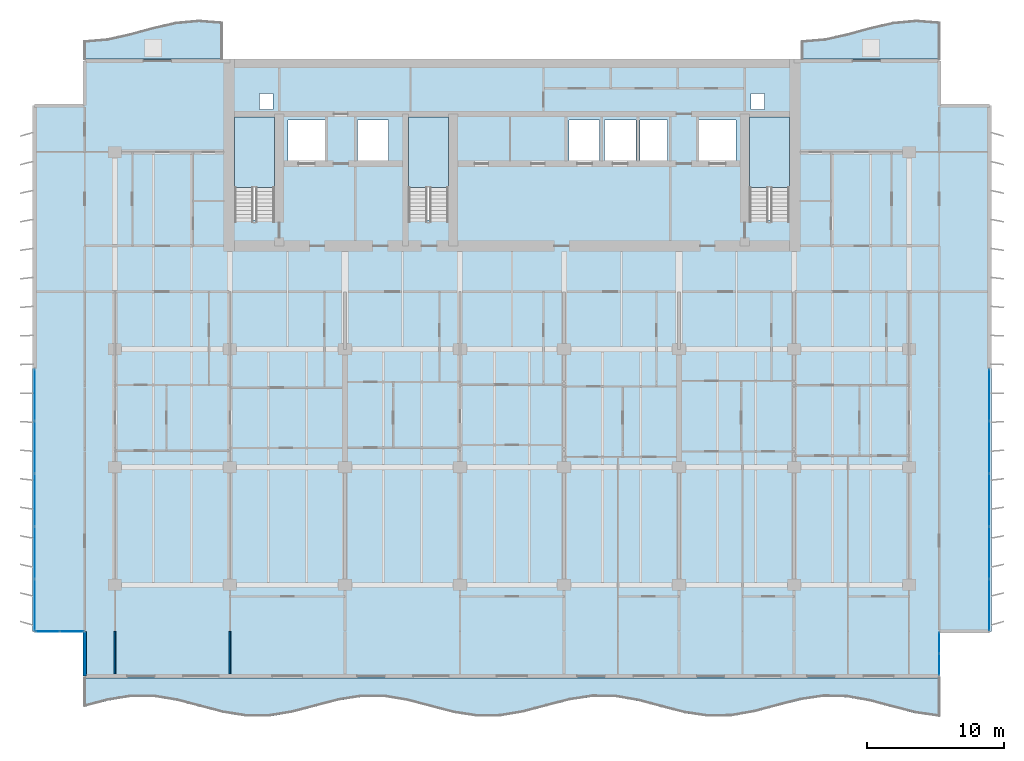
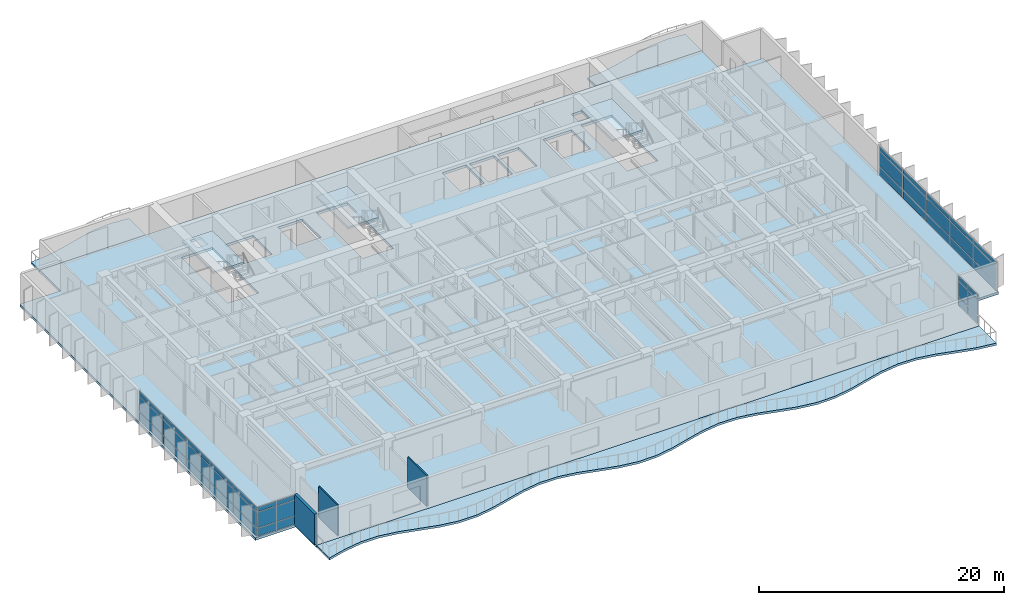
# One storey, part 5 of 20: 42 plates, 7 slabs, 3 walls, 7 elements without a shape of their own.
"""IFC4 building model written with IfcOpenShell, lengths in metres."""

import ifcopenshell
import ifcopenshell.guid

model = None  # the IFC model being written
_history = None  # IfcOwnerHistory: only IFC2X3 demands one
_inside = {}  # id of a spatial element -> (the spatial element, [elements in it])
_under = {}  # id of a project, library or spatial element -> (it, [spatial elements below it])
_declared = {}  # id of a project -> (the project, [libraries it declares])
_typed = {}  # id of a type object -> (the type object, [elements of that type])
_made_of = {}  # id of a material, layer set ... -> (it, [elements and type objects made of it])


def new_model(schema):
    """Start an empty IFC model of exactly this schema.

    Asked for "IFC4X3", IfcOpenShell would pick the latest addendum, in which some entities
    have other attributes; the version numbers below select the first issue.
    IFC2X3 requires an IfcOwnerHistory on every rooted entity: one is made here for all.
    """
    global model, _history
    if schema == "IFC4X3":
        model = ifcopenshell.file(schema_version=(4, 3, 0, 0))
    else:
        model = ifcopenshell.file(schema=schema)
    _inside.clear()
    _under.clear()
    _declared.clear()
    _typed.clear()
    _made_of.clear()
    _history = None
    if model.schema == "IFC2X3":
        org = make("IfcOrganization", Name="unknown")
        user = make(
            "IfcPersonAndOrganization",
            ThePerson=make("IfcPerson", FamilyName="unknown"),
            TheOrganization=org,
        )
        app = make(
            "IfcApplication",
            ApplicationDeveloper=org,
            Version="unknown",
            ApplicationFullName="unknown",
            ApplicationIdentifier="unknown",
        )
        _history = make(
            "IfcOwnerHistory",
            OwningUser=user,
            OwningApplication=app,
            ChangeAction="ADDED",
            CreationDate=0,
        )
    return model


def make(cls, **values):
    """One entity of the class cls with the attributes given. An attribute that is None is left unset."""
    return model.create_entity(
        cls, **{name: value for name, value in values.items() if value is not None}
    )


def rooted(cls, **values):
    """An entity with a GlobalId (a new one), such as an element, a storey or a relation."""
    return make(cls, GlobalId=ifcopenshell.guid.new(), OwnerHistory=_history, **values)


def si_unit(unit_type, name, prefix=None):
    """IfcSIUnit, for example si_unit("LENGTHUNIT", "METRE", prefix="MILLI")."""
    return make("IfcSIUnit", UnitType=unit_type, Prefix=prefix, Name=name)


def assignment(units):
    """IfcUnitAssignment: the units of a project."""
    return None if units is None else make("IfcUnitAssignment", Units=units)


def point(xyz):
    """IfcCartesianPoint."""
    return None if xyz is None else make("IfcCartesianPoint", Coordinates=xyz)


def direction(xyz):
    """IfcDirection."""
    return None if xyz is None else make("IfcDirection", DirectionRatios=xyz)


def frame(location, z_axis=None, x_axis=None):
    """IfcAxis2Placement3D, a coordinate frame: its origin and axes. An axis left out is left unset."""
    return make(
        "IfcAxis2Placement3D",
        Location=point(location),
        Axis=direction(z_axis),
        RefDirection=direction(x_axis),
    )


def frame_2d(location, x_axis=None):
    """IfcAxis2Placement2D, a coordinate frame in the plane: its origin and x axis."""
    return make(
        "IfcAxis2Placement2D", Location=point(location), RefDirection=direction(x_axis)
    )


def origin():
    """The frame at (0, 0, 0) with its axes left unset."""
    return frame((0.0, 0.0, 0.0))


def origin_2d():
    """The frame at (0, 0) in the plane with its x axis left unset."""
    return frame_2d((0.0, 0.0))


def place(relative_to, where):
    """IfcLocalPlacement: puts the frame where relative to a parent placement (None: the world)."""
    return make(
        "IfcLocalPlacement", PlacementRelTo=relative_to, RelativePlacement=where
    )


def context(
    kind, dimensions, precision=None, world=None, true_north=None, identifier=None
):
    """IfcGeometricRepresentationContext, for example the 3D "Model" context."""
    return make(
        "IfcGeometricRepresentationContext",
        ContextIdentifier=identifier,
        ContextType=kind,
        CoordinateSpaceDimension=dimensions,
        Precision=precision,
        WorldCoordinateSystem=world,
        TrueNorth=true_north,
    )


def subcontext(parent, identifier, kind, view, scale=None):
    """IfcGeometricRepresentationSubContext, for example "Body" below "Model"."""
    return make(
        "IfcGeometricRepresentationSubContext",
        ContextIdentifier=identifier,
        ContextType=kind,
        ParentContext=parent,
        TargetScale=scale,
        TargetView=view,
    )


def project(units=None, contexts=None):
    """IfcProject with its units and contexts."""
    return rooted(
        "IfcProject",
        Name="project",
        RepresentationContexts=contexts,
        UnitsInContext=assignment(units),
    )


def spatial(cls, under=None, at=None, **own):
    """A site, building, storey or space (cls), placed at a placement, below another one or the project."""
    s = rooted(cls, ObjectPlacement=at, **own)
    if under is not None:
        _under.setdefault(under.id(), (under, []))[1].append(s)
    return s


def polyline(points):
    """IfcPolyline through the points."""
    return make("IfcPolyline", Points=[point(p) for p in points])


def profile(cls, at=None, kind="AREA", **sizes):
    """A parametric profile (cls). Its sizes go by their IFC names, for example OverallWidth=200.0."""
    return make(cls, ProfileType=kind, Position=at, **sizes)


def rectangle(**sizes):
    """IfcRectangleProfileDef."""
    return profile("IfcRectangleProfileDef", **sizes)


def outline(outer, holes=None, kind="AREA"):
    """IfcArbitraryClosedProfileDef: a profile drawn as a closed curve; with holes, ...WithVoids."""
    if holes is None:
        return make("IfcArbitraryClosedProfileDef", ProfileType=kind, OuterCurve=outer)
    return make(
        "IfcArbitraryProfileDefWithVoids",
        ProfileType=kind,
        OuterCurve=outer,
        InnerCurves=holes,
    )


def extrude(swept, where, along, depth):
    """IfcExtrudedAreaSolid: the profile swept, set in the frame where, extruded along a direction by depth."""
    return make(
        "IfcExtrudedAreaSolid",
        SweptArea=swept,
        Position=where,
        ExtrudedDirection=direction(along),
        Depth=depth,
    )


def shape(context_of_items, identifier, shape_type, items):
    """IfcShapeRepresentation: the items that make up one representation, for example the "Body"."""
    return make(
        "IfcShapeRepresentation",
        ContextOfItems=context_of_items,
        RepresentationIdentifier=identifier,
        RepresentationType=shape_type,
        Items=items,
    )


def material(Name=None, Category=None):
    """IfcMaterial."""
    return make("IfcMaterial", Name=Name, Category=Category)


def layer(
    of_material, thickness, ventilated=None, Name=None, Category=None, Priority=None
):
    """IfcMaterialLayer: one layer of a wall or slab, of a material (None: an air gap)."""
    return make(
        "IfcMaterialLayer",
        Material=of_material,
        LayerThickness=thickness,
        IsVentilated=ventilated,
        Name=Name,
        Category=Category,
        Priority=Priority,
    )


def layer_set(layers, Name=None):
    """IfcMaterialLayerSet."""
    return make("IfcMaterialLayerSet", MaterialLayers=layers, LayerSetName=Name)


def made_of(thing, what):
    """Note that an element or type object is made of a material, layer set ...; save() writes the relation."""
    if what is not None:
        _made_of.setdefault(what.id(), (what, []))[1].append(thing)
    return thing


def type_object(cls, material=None, **own):
    """A type object (cls), such as IfcWallType, which elements share."""
    return made_of(rooted(cls, **own), material)


def element(
    cls,
    number,
    at=None,
    inside=None,
    cuts=None,
    type_object=None,
    material=None,
    context=None,
    identifier="Body",
    shape_type=None,
    held_by="IfcProductDefinitionShape",
    body=None,
    shapes=None,
    **own,
):
    """One element of the class cls, such as IfcWall. Its Tag is "e" and its number.

    at: its placement. inside: the storey or other place that contains it. cuts: it is an
    opening in that element (IfcRelVoidsElement). A single representation is given by context,
    identifier, shape_type and body (its items); several are given by shapes. held_by: the class
    of the entity that holds the representations. save() writes the other relations.
    """
    e = rooted(cls, Tag="e%d" % number, ObjectPlacement=at, **own)
    if body is not None:
        shapes = [shape(context, identifier, shape_type, body)]
    if shapes is not None:
        e.Representation = make(held_by, Representations=shapes)
    if inside is not None:
        _inside.setdefault(inside.id(), (inside, []))[1].append(e)
    if cuts is not None:
        rooted(
            "IfcRelVoidsElement", RelatingBuildingElement=cuts, RelatedOpeningElement=e
        )
    if type_object is not None:
        _typed.setdefault(type_object.id(), (type_object, []))[1].append(e)
    return made_of(e, material)


def aggregate(whole, parts):
    """IfcRelAggregates: a whole, such as a stair, and the parts it consists of."""
    return rooted("IfcRelAggregates", RelatingObject=whole, RelatedObjects=parts)


def save(model, path):
    """Write the relations noted so far, then the file.

    IfcRelAggregates (storeys below a building ...), IfcRelContainedInSpatialStructure (elements
    in a storey), IfcRelDefinesByType, IfcRelAssociatesMaterial and IfcRelDeclares: one each for
    every whole, place, type object, material and project.
    """
    for whole, parts in _under.values():
        aggregate(whole, parts)
    for where, things in _inside.values():
        rooted(
            "IfcRelContainedInSpatialStructure",
            RelatedElements=things,
            RelatingStructure=where,
        )
    for kind, things in _typed.values():
        rooted("IfcRelDefinesByType", RelatedObjects=things, RelatingType=kind)
    for what, things in _made_of.values():
        rooted("IfcRelAssociatesMaterial", RelatedObjects=things, RelatingMaterial=what)
    for by, libraries in _declared.values():
        rooted("IfcRelDeclares", RelatingContext=by, RelatedDefinitions=libraries)
    model.write(path)


model = new_model("IFC4")

# Units and contexts
model_context = context("Model", 3, precision=1e-05, world=origin(), true_north=direction((0.0, 1.0)))
body_context = subcontext(model_context, "Body", "Model", "MODEL_VIEW")
ifc_project = project(units=[si_unit("LENGTHUNIT", "METRE"), si_unit("AREAUNIT", "SQUARE_METRE"), si_unit("VOLUMEUNIT", "CUBIC_METRE"), si_unit("PLANEANGLEUNIT", "RADIAN"), si_unit("MASSUNIT", "GRAM", prefix="KILO")], contexts=[model_context])

# Site, building, storey
site_placement = place(None, origin())
site = spatial("IfcSite", under=ifc_project, at=site_placement, CompositionType="ELEMENT")
building_placement = place(site_placement, origin())
building = spatial("IfcBuilding", under=site, at=building_placement, Name="Caelmar Bay Residences", CompositionType="ELEMENT")
storey_placement = place(building_placement, frame((0.0, 0.0, 119.10009765625)))
storey = spatial("IfcBuildingStorey", under=building, at=storey_placement, Name="L32", CompositionType="ELEMENT", Elevation=119.10009765625)

# Curtain wall, plates
ifc_material_1 = material(Name="Anodised bronze aluminium 6063-T6 and laminated glass", Category="aluminium")
ifc_layer_1 = layer(ifc_material_1, 0.179931640625)
ifc_layer_set_1 = layer_set([ifc_layer_1], Name="Anodised bronze aluminium 6063-T6 and laminated glass")
curtain_wall_type_1 = type_object("IfcCurtainWallType", Name="CW6-NTC", PredefinedType="NOTDEFINED", material=ifc_layer_set_1)
curtain_wall_1_placement = place(storey_placement, origin())
curtain_wall_1 = element("IfcCurtainWall", 1, at=curtain_wall_1_placement, inside=storey, type_object=curtain_wall_type_1, Name="CW6 curtain wall L32", PredefinedType="NOTDEFINED")
ifc_material_2 = material(Name="Bronze-tinted laminated low-E hurricane glass 28 mm", Category="glass")
ifc_layer_2 = layer(ifc_material_2, 0.028076171875)
ifc_layer_set_2 = layer_set([ifc_layer_2], Name="Bronze-tinted laminated low-E hurricane glass 28 mm")
plate_type = type_object("IfcPlateType", Name="CWP-GLZ28", PredefinedType="CURTAIN_PANEL", material=ifc_layer_set_2)
plate_1_placement = place(storey_placement, frame((4.982421875, 8.800048828125, 0.080078125), z_axis=(0.0, 0.0, 1.0), x_axis=(1.0, 0.0, 0.0)))
plate_1 = element("IfcPlate", 2, at=plate_1_placement, type_object=plate_type, Name="CW6 panel 1.1", PredefinedType="CURTAIN_PANEL", context=body_context, shape_type="SweptSolid", body=[
    extrude(rectangle(XDim=1.705078125, YDim=0.028076171875, at=origin_2d()), origin(), (0.0, 0.0, 1.0), 0.780029296875),
])
plate_2_placement = place(storey_placement, frame((4.982421875, 8.800048828125, 0.93994140625), z_axis=(0.0, 0.0, 1.0), x_axis=(1.0, 0.0, 0.0)))
plate_2 = element("IfcPlate", 3, at=plate_2_placement, type_object=plate_type, Name="CW6 panel 1.2", PredefinedType="CURTAIN_PANEL", context=body_context, shape_type="SweptSolid", body=[
    extrude(rectangle(XDim=1.705078125, YDim=0.028076171875, at=origin_2d()), origin(), (0.0, 0.0, 1.0), 1.52001953125),
])
plate_3_placement = place(storey_placement, frame((4.982421875, 8.800048828125, 2.5400390625), z_axis=(0.0, 0.0, 1.0), x_axis=(1.0, 0.0, 0.0)))
plate_3 = element("IfcPlate", 4, at=plate_3_placement, type_object=plate_type, Name="CW6 panel 1.3", PredefinedType="CURTAIN_PANEL", context=body_context, shape_type="SweptSolid", body=[
    extrude(rectangle(XDim=1.705078125, YDim=0.028076171875, at=origin_2d()), origin(), (0.0, 0.0, 1.0), 0.429931640625),
])
plate_4_placement = place(storey_placement, frame((6.767578125, 8.800048828125, 0.080078125), z_axis=(0.0, 0.0, 1.0), x_axis=(1.0, 0.0, 0.0)))
plate_4 = element("IfcPlate", 5, at=plate_4_placement, type_object=plate_type, Name="CW6 panel 2.1", PredefinedType="CURTAIN_PANEL", context=body_context, shape_type="SweptSolid", body=[
    extrude(rectangle(XDim=1.705078125, YDim=0.028076171875, at=origin_2d()), origin(), (0.0, 0.0, 1.0), 0.780029296875),
])
plate_5_placement = place(storey_placement, frame((6.767578125, 8.800048828125, 0.93994140625), z_axis=(0.0, 0.0, 1.0), x_axis=(1.0, 0.0, 0.0)))
plate_5 = element("IfcPlate", 6, at=plate_5_placement, type_object=plate_type, Name="CW6 panel 2.2", PredefinedType="CURTAIN_PANEL", context=body_context, shape_type="SweptSolid", body=[
    extrude(rectangle(XDim=1.705078125, YDim=0.028076171875, at=origin_2d()), origin(), (0.0, 0.0, 1.0), 1.52001953125),
])
plate_6_placement = place(storey_placement, frame((6.767578125, 8.800048828125, 2.5400390625), z_axis=(0.0, 0.0, 1.0), x_axis=(1.0, 0.0, 0.0)))
plate_6 = element("IfcPlate", 7, at=plate_6_placement, type_object=plate_type, Name="CW6 panel 2.3", PredefinedType="CURTAIN_PANEL", context=body_context, shape_type="SweptSolid", body=[
    extrude(rectangle(XDim=1.705078125, YDim=0.028076171875, at=origin_2d()), origin(), (0.0, 0.0, 1.0), 0.429931640625),
])
aggregate(curtain_wall_1, [plate_1, plate_2, plate_3, plate_4, plate_5, plate_6])

curtain_wall_2_placement = place(storey_placement, origin())
curtain_wall_2 = element("IfcCurtainWall", 8, at=curtain_wall_2_placement, inside=storey, type_object=curtain_wall_type_1, Name="CW6 curtain wall L32", PredefinedType="NOTDEFINED")
plate_7_placement = place(storey_placement, frame((70.10009765625, 6.382568359375, 0.080078125), z_axis=(0.0, 0.0, 1.0), x_axis=(0.0, 1.0, 0.0)))
plate_7 = element("IfcPlate", 9, at=plate_7_placement, type_object=plate_type, Name="CW6 panel 1.1", PredefinedType="CURTAIN_PANEL", context=body_context, shape_type="SweptSolid", body=[
    extrude(rectangle(XDim=1.5048828125, YDim=0.028076171875, at=origin_2d()), origin(), (0.0, 0.0, 1.0), 0.780029296875),
])
plate_8_placement = place(storey_placement, frame((70.10009765625, 6.382568359375, 0.93994140625), z_axis=(0.0, 0.0, 1.0), x_axis=(0.0, 1.0, 0.0)))
plate_8 = element("IfcPlate", 10, at=plate_8_placement, type_object=plate_type, Name="CW6 panel 1.2", PredefinedType="CURTAIN_PANEL", context=body_context, shape_type="SweptSolid", body=[
    extrude(rectangle(XDim=1.5048828125, YDim=0.028076171875, at=origin_2d()), origin(), (0.0, 0.0, 1.0), 1.52001953125),
])
plate_9_placement = place(storey_placement, frame((70.10009765625, 6.382568359375, 2.5400390625), z_axis=(0.0, 0.0, 1.0), x_axis=(0.0, 1.0, 0.0)))
plate_9 = element("IfcPlate", 11, at=plate_9_placement, type_object=plate_type, Name="CW6 panel 1.3", PredefinedType="CURTAIN_PANEL", context=body_context, shape_type="SweptSolid", body=[
    extrude(rectangle(XDim=1.5048828125, YDim=0.028076171875, at=origin_2d()), origin(), (0.0, 0.0, 1.0), 0.429931640625),
])
plate_10_placement = place(storey_placement, frame((70.10009765625, 7.967529296875, 0.080078125), z_axis=(0.0, 0.0, 1.0), x_axis=(0.0, 1.0, 0.0)))
plate_10 = element("IfcPlate", 12, at=plate_10_placement, type_object=plate_type, Name="CW6 panel 2.1", PredefinedType="CURTAIN_PANEL", context=body_context, shape_type="SweptSolid", body=[
    extrude(rectangle(XDim=1.5048828125, YDim=0.028076171875, at=origin_2d()), origin(), (0.0, 0.0, 1.0), 0.780029296875),
])
plate_11_placement = place(storey_placement, frame((70.10009765625, 7.967529296875, 0.93994140625), z_axis=(0.0, 0.0, 1.0), x_axis=(0.0, 1.0, 0.0)))
plate_11 = element("IfcPlate", 13, at=plate_11_placement, type_object=plate_type, Name="CW6 panel 2.2", PredefinedType="CURTAIN_PANEL", context=body_context, shape_type="SweptSolid", body=[
    extrude(rectangle(XDim=1.5048828125, YDim=0.028076171875, at=origin_2d()), origin(), (0.0, 0.0, 1.0), 1.52001953125),
])
plate_12_placement = place(storey_placement, frame((70.10009765625, 7.967529296875, 2.5400390625), z_axis=(0.0, 0.0, 1.0), x_axis=(0.0, 1.0, 0.0)))
plate_12 = element("IfcPlate", 14, at=plate_12_placement, type_object=plate_type, Name="CW6 panel 2.3", PredefinedType="CURTAIN_PANEL", context=body_context, shape_type="SweptSolid", body=[
    extrude(rectangle(XDim=1.5048828125, YDim=0.028076171875, at=origin_2d()), origin(), (0.0, 0.0, 1.0), 0.429931640625),
])
aggregate(curtain_wall_2, [plate_7, plate_8, plate_9, plate_10, plate_11, plate_12])

ifc_layer_3 = layer(ifc_material_1, 0.179931640625)
ifc_layer_set_3 = layer_set([ifc_layer_3], Name="Anodised bronze aluminium 6063-T6 and laminated glass")
curtain_wall_type_2 = type_object("IfcCurtainWallType", Name="CW3-Z2", PredefinedType="NOTDEFINED", material=ifc_layer_set_3)
curtain_wall_3_placement = place(storey_placement, origin())
curtain_wall_3 = element("IfcCurtainWall", 15, at=curtain_wall_3_placement, inside=storey, type_object=curtain_wall_type_2, Name="CW3 curtain wall L32", PredefinedType="NOTDEFINED")
plate_13_placement = place(storey_placement, frame((4.050048828125, 10.739990234375, 0.080078125), z_axis=(0.0, 0.0, 1.0), x_axis=(0.0, 1.0, 0.0)))
plate_13 = element("IfcPlate", 16, at=plate_13_placement, type_object=plate_type, Name="CW3 panel 1.1", PredefinedType="CURTAIN_PANEL", context=body_context, shape_type="SweptSolid", body=[
    extrude(rectangle(XDim=3.719970703125, YDim=0.028076171875, at=origin_2d()), origin(), (0.0, 0.0, 1.0), 0.780029296875),
])
plate_14_placement = place(storey_placement, frame((4.050048828125, 10.739990234375, 0.93994140625), z_axis=(0.0, 0.0, 1.0), x_axis=(0.0, 1.0, 0.0)))
plate_14 = element("IfcPlate", 17, at=plate_14_placement, type_object=plate_type, Name="CW3 panel 1.2", PredefinedType="CURTAIN_PANEL", context=body_context, shape_type="SweptSolid", body=[
    extrude(rectangle(XDim=3.719970703125, YDim=0.028076171875, at=origin_2d()), origin(), (0.0, 0.0, 1.0), 1.52001953125),
])
plate_15_placement = place(storey_placement, frame((4.050048828125, 10.739990234375, 2.5400390625), z_axis=(0.0, 0.0, 1.0), x_axis=(0.0, 1.0, 0.0)))
plate_15 = element("IfcPlate", 18, at=plate_15_placement, type_object=plate_type, Name="CW3 panel 1.3", PredefinedType="CURTAIN_PANEL", context=body_context, shape_type="SweptSolid", body=[
    extrude(rectangle(XDim=3.719970703125, YDim=0.028076171875, at=origin_2d()), origin(), (0.0, 0.0, 1.0), 0.429931640625),
])
plate_16_placement = place(storey_placement, frame((4.050048828125, 14.56005859375, 0.080078125), z_axis=(0.0, 0.0, 1.0), x_axis=(0.0, 1.0, 0.0)))
plate_16 = element("IfcPlate", 19, at=plate_16_placement, type_object=plate_type, Name="CW3 panel 2.1", PredefinedType="CURTAIN_PANEL", context=body_context, shape_type="SweptSolid", body=[
    extrude(rectangle(XDim=3.760009765625, YDim=0.028076171875, at=origin_2d()), origin(), (0.0, 0.0, 1.0), 0.780029296875),
])
plate_17_placement = place(storey_placement, frame((4.050048828125, 14.56005859375, 0.93994140625), z_axis=(0.0, 0.0, 1.0), x_axis=(0.0, 1.0, 0.0)))
plate_17 = element("IfcPlate", 20, at=plate_17_placement, type_object=plate_type, Name="CW3 panel 2.2", PredefinedType="CURTAIN_PANEL", context=body_context, shape_type="SweptSolid", body=[
    extrude(rectangle(XDim=3.760009765625, YDim=0.028076171875, at=origin_2d()), origin(), (0.0, 0.0, 1.0), 1.52001953125),
])
plate_18_placement = place(storey_placement, frame((4.050048828125, 14.56005859375, 2.5400390625), z_axis=(0.0, 0.0, 1.0), x_axis=(0.0, 1.0, 0.0)))
plate_18 = element("IfcPlate", 21, at=plate_18_placement, type_object=plate_type, Name="CW3 panel 2.3", PredefinedType="CURTAIN_PANEL", context=body_context, shape_type="SweptSolid", body=[
    extrude(rectangle(XDim=3.760009765625, YDim=0.028076171875, at=origin_2d()), origin(), (0.0, 0.0, 1.0), 0.429931640625),
])
plate_19_placement = place(storey_placement, frame((4.050048828125, 18.39990234375, 0.080078125), z_axis=(0.0, 0.0, 1.0), x_axis=(0.0, 1.0, 0.0)))
plate_19 = element("IfcPlate", 22, at=plate_19_placement, type_object=plate_type, Name="CW3 panel 3.1", PredefinedType="CURTAIN_PANEL", context=body_context, shape_type="SweptSolid", body=[
    extrude(rectangle(XDim=3.760009765625, YDim=0.028076171875, at=origin_2d()), origin(), (0.0, 0.0, 1.0), 0.780029296875),
])
plate_20_placement = place(storey_placement, frame((4.050048828125, 18.39990234375, 0.93994140625), z_axis=(0.0, 0.0, 1.0), x_axis=(0.0, 1.0, 0.0)))
plate_20 = element("IfcPlate", 23, at=plate_20_placement, type_object=plate_type, Name="CW3 panel 3.2", PredefinedType="CURTAIN_PANEL", context=body_context, shape_type="SweptSolid", body=[
    extrude(rectangle(XDim=3.760009765625, YDim=0.028076171875, at=origin_2d()), origin(), (0.0, 0.0, 1.0), 1.52001953125),
])
plate_21_placement = place(storey_placement, frame((4.050048828125, 18.39990234375, 2.5400390625), z_axis=(0.0, 0.0, 1.0), x_axis=(0.0, 1.0, 0.0)))
plate_21 = element("IfcPlate", 24, at=plate_21_placement, type_object=plate_type, Name="CW3 panel 3.3", PredefinedType="CURTAIN_PANEL", context=body_context, shape_type="SweptSolid", body=[
    extrude(rectangle(XDim=3.760009765625, YDim=0.028076171875, at=origin_2d()), origin(), (0.0, 0.0, 1.0), 0.429931640625),
])
plate_22_placement = place(storey_placement, frame((4.050048828125, 22.239990234375, 0.080078125), z_axis=(0.0, 0.0, 1.0), x_axis=(0.0, 1.0, 0.0)))
plate_22 = element("IfcPlate", 25, at=plate_22_placement, type_object=plate_type, Name="CW3 panel 4.1", PredefinedType="CURTAIN_PANEL", context=body_context, shape_type="SweptSolid", body=[
    extrude(rectangle(XDim=3.760009765625, YDim=0.028076171875, at=origin_2d()), origin(), (0.0, 0.0, 1.0), 0.780029296875),
])
plate_23_placement = place(storey_placement, frame((4.050048828125, 22.239990234375, 0.93994140625), z_axis=(0.0, 0.0, 1.0), x_axis=(0.0, 1.0, 0.0)))
plate_23 = element("IfcPlate", 26, at=plate_23_placement, type_object=plate_type, Name="CW3 panel 4.2", PredefinedType="CURTAIN_PANEL", context=body_context, shape_type="SweptSolid", body=[
    extrude(rectangle(XDim=3.760009765625, YDim=0.028076171875, at=origin_2d()), origin(), (0.0, 0.0, 1.0), 1.52001953125),
])
plate_24_placement = place(storey_placement, frame((4.050048828125, 22.239990234375, 2.5400390625), z_axis=(0.0, 0.0, 1.0), x_axis=(0.0, 1.0, 0.0)))
plate_24 = element("IfcPlate", 27, at=plate_24_placement, type_object=plate_type, Name="CW3 panel 4.3", PredefinedType="CURTAIN_PANEL", context=body_context, shape_type="SweptSolid", body=[
    extrude(rectangle(XDim=3.760009765625, YDim=0.028076171875, at=origin_2d()), origin(), (0.0, 0.0, 1.0), 0.429931640625),
])
plate_25_placement = place(storey_placement, frame((4.050048828125, 26.06005859375, 0.080078125), z_axis=(0.0, 0.0, 1.0), x_axis=(0.0, 1.0, 0.0)))
plate_25 = element("IfcPlate", 28, at=plate_25_placement, type_object=plate_type, Name="CW3 panel 5.1", PredefinedType="CURTAIN_PANEL", context=body_context, shape_type="SweptSolid", body=[
    extrude(rectangle(XDim=3.719970703125, YDim=0.028076171875, at=origin_2d()), origin(), (0.0, 0.0, 1.0), 0.780029296875),
])
plate_26_placement = place(storey_placement, frame((4.050048828125, 26.06005859375, 0.93994140625), z_axis=(0.0, 0.0, 1.0), x_axis=(0.0, 1.0, 0.0)))
plate_26 = element("IfcPlate", 29, at=plate_26_placement, type_object=plate_type, Name="CW3 panel 5.2", PredefinedType="CURTAIN_PANEL", context=body_context, shape_type="SweptSolid", body=[
    extrude(rectangle(XDim=3.719970703125, YDim=0.028076171875, at=origin_2d()), origin(), (0.0, 0.0, 1.0), 1.52001953125),
])
plate_27_placement = place(storey_placement, frame((4.050048828125, 26.06005859375, 2.5400390625), z_axis=(0.0, 0.0, 1.0), x_axis=(0.0, 1.0, 0.0)))
plate_27 = element("IfcPlate", 30, at=plate_27_placement, type_object=plate_type, Name="CW3 panel 5.3", PredefinedType="CURTAIN_PANEL", context=body_context, shape_type="SweptSolid", body=[
    extrude(rectangle(XDim=3.719970703125, YDim=0.028076171875, at=origin_2d()), origin(), (0.0, 0.0, 1.0), 0.429931640625),
])
aggregate(curtain_wall_3, [plate_13, plate_14, plate_15, plate_16, plate_17, plate_18, plate_19, plate_20, plate_21, plate_22, plate_23, plate_24, plate_25, plate_26, plate_27])

curtain_wall_4_placement = place(storey_placement, origin())
curtain_wall_4 = element("IfcCurtainWall", 31, at=curtain_wall_4_placement, inside=storey, type_object=curtain_wall_type_2, Name="CW3 curtain wall L32", PredefinedType="NOTDEFINED")
plate_28_placement = place(storey_placement, frame((73.75, 26.06005859375, 0.080078125), z_axis=(0.0, 0.0, 1.0), x_axis=(0.0, -1.0, 0.0)))
plate_28 = element("IfcPlate", 32, at=plate_28_placement, type_object=plate_type, Name="CW3 panel 1.1", PredefinedType="CURTAIN_PANEL", context=body_context, shape_type="SweptSolid", body=[
    extrude(rectangle(XDim=3.719970703125, YDim=0.028076171875, at=origin_2d()), origin(), (0.0, 0.0, 1.0), 0.780029296875),
])
plate_29_placement = place(storey_placement, frame((73.75, 26.06005859375, 0.93994140625), z_axis=(0.0, 0.0, 1.0), x_axis=(0.0, -1.0, 0.0)))
plate_29 = element("IfcPlate", 33, at=plate_29_placement, type_object=plate_type, Name="CW3 panel 1.2", PredefinedType="CURTAIN_PANEL", context=body_context, shape_type="SweptSolid", body=[
    extrude(rectangle(XDim=3.719970703125, YDim=0.028076171875, at=origin_2d()), origin(), (0.0, 0.0, 1.0), 1.52001953125),
])
plate_30_placement = place(storey_placement, frame((73.75, 26.06005859375, 2.5400390625), z_axis=(0.0, 0.0, 1.0), x_axis=(0.0, -1.0, 0.0)))
plate_30 = element("IfcPlate", 34, at=plate_30_placement, type_object=plate_type, Name="CW3 panel 1.3", PredefinedType="CURTAIN_PANEL", context=body_context, shape_type="SweptSolid", body=[
    extrude(rectangle(XDim=3.719970703125, YDim=0.028076171875, at=origin_2d()), origin(), (0.0, 0.0, 1.0), 0.429931640625),
])
plate_31_placement = place(storey_placement, frame((73.75, 22.239990234375, 0.080078125), z_axis=(0.0, 0.0, 1.0), x_axis=(0.0, -1.0, 0.0)))
plate_31 = element("IfcPlate", 35, at=plate_31_placement, type_object=plate_type, Name="CW3 panel 2.1", PredefinedType="CURTAIN_PANEL", context=body_context, shape_type="SweptSolid", body=[
    extrude(rectangle(XDim=3.760009765625, YDim=0.028076171875, at=origin_2d()), origin(), (0.0, 0.0, 1.0), 0.780029296875),
])
plate_32_placement = place(storey_placement, frame((73.75, 22.239990234375, 0.93994140625), z_axis=(0.0, 0.0, 1.0), x_axis=(0.0, -1.0, 0.0)))
plate_32 = element("IfcPlate", 36, at=plate_32_placement, type_object=plate_type, Name="CW3 panel 2.2", PredefinedType="CURTAIN_PANEL", context=body_context, shape_type="SweptSolid", body=[
    extrude(rectangle(XDim=3.760009765625, YDim=0.028076171875, at=origin_2d()), origin(), (0.0, 0.0, 1.0), 1.52001953125),
])
plate_33_placement = place(storey_placement, frame((73.75, 22.239990234375, 2.5400390625), z_axis=(0.0, 0.0, 1.0), x_axis=(0.0, -1.0, 0.0)))
plate_33 = element("IfcPlate", 37, at=plate_33_placement, type_object=plate_type, Name="CW3 panel 2.3", PredefinedType="CURTAIN_PANEL", context=body_context, shape_type="SweptSolid", body=[
    extrude(rectangle(XDim=3.760009765625, YDim=0.028076171875, at=origin_2d()), origin(), (0.0, 0.0, 1.0), 0.429931640625),
])
plate_34_placement = place(storey_placement, frame((73.75, 18.39990234375, 0.080078125), z_axis=(0.0, 0.0, 1.0), x_axis=(0.0, -1.0, 0.0)))
plate_34 = element("IfcPlate", 38, at=plate_34_placement, type_object=plate_type, Name="CW3 panel 3.1", PredefinedType="CURTAIN_PANEL", context=body_context, shape_type="SweptSolid", body=[
    extrude(rectangle(XDim=3.760009765625, YDim=0.028076171875, at=origin_2d()), origin(), (0.0, 0.0, 1.0), 0.780029296875),
])
plate_35_placement = place(storey_placement, frame((73.75, 18.39990234375, 0.93994140625), z_axis=(0.0, 0.0, 1.0), x_axis=(0.0, -1.0, 0.0)))
plate_35 = element("IfcPlate", 39, at=plate_35_placement, type_object=plate_type, Name="CW3 panel 3.2", PredefinedType="CURTAIN_PANEL", context=body_context, shape_type="SweptSolid", body=[
    extrude(rectangle(XDim=3.760009765625, YDim=0.028076171875, at=origin_2d()), origin(), (0.0, 0.0, 1.0), 1.52001953125),
])
plate_36_placement = place(storey_placement, frame((73.75, 18.39990234375, 2.5400390625), z_axis=(0.0, 0.0, 1.0), x_axis=(0.0, -1.0, 0.0)))
plate_36 = element("IfcPlate", 40, at=plate_36_placement, type_object=plate_type, Name="CW3 panel 3.3", PredefinedType="CURTAIN_PANEL", context=body_context, shape_type="SweptSolid", body=[
    extrude(rectangle(XDim=3.760009765625, YDim=0.028076171875, at=origin_2d()), origin(), (0.0, 0.0, 1.0), 0.429931640625),
])
plate_37_placement = place(storey_placement, frame((73.75, 14.56005859375, 0.080078125), z_axis=(0.0, 0.0, 1.0), x_axis=(0.0, -1.0, 0.0)))
plate_37 = element("IfcPlate", 41, at=plate_37_placement, type_object=plate_type, Name="CW3 panel 4.1", PredefinedType="CURTAIN_PANEL", context=body_context, shape_type="SweptSolid", body=[
    extrude(rectangle(XDim=3.760009765625, YDim=0.028076171875, at=origin_2d()), origin(), (0.0, 0.0, 1.0), 0.780029296875),
])
plate_38_placement = place(storey_placement, frame((73.75, 14.56005859375, 0.93994140625), z_axis=(0.0, 0.0, 1.0), x_axis=(0.0, -1.0, 0.0)))
plate_38 = element("IfcPlate", 42, at=plate_38_placement, type_object=plate_type, Name="CW3 panel 4.2", PredefinedType="CURTAIN_PANEL", context=body_context, shape_type="SweptSolid", body=[
    extrude(rectangle(XDim=3.760009765625, YDim=0.028076171875, at=origin_2d()), origin(), (0.0, 0.0, 1.0), 1.52001953125),
])
plate_39_placement = place(storey_placement, frame((73.75, 14.56005859375, 2.5400390625), z_axis=(0.0, 0.0, 1.0), x_axis=(0.0, -1.0, 0.0)))
plate_39 = element("IfcPlate", 43, at=plate_39_placement, type_object=plate_type, Name="CW3 panel 4.3", PredefinedType="CURTAIN_PANEL", context=body_context, shape_type="SweptSolid", body=[
    extrude(rectangle(XDim=3.760009765625, YDim=0.028076171875, at=origin_2d()), origin(), (0.0, 0.0, 1.0), 0.429931640625),
])
plate_40_placement = place(storey_placement, frame((73.75, 10.739990234375, 0.080078125), z_axis=(0.0, 0.0, 1.0), x_axis=(0.0, -1.0, 0.0)))
plate_40 = element("IfcPlate", 44, at=plate_40_placement, type_object=plate_type, Name="CW3 panel 5.1", PredefinedType="CURTAIN_PANEL", context=body_context, shape_type="SweptSolid", body=[
    extrude(rectangle(XDim=3.719970703125, YDim=0.028076171875, at=origin_2d()), origin(), (0.0, 0.0, 1.0), 0.780029296875),
])
plate_41_placement = place(storey_placement, frame((73.75, 10.739990234375, 0.93994140625), z_axis=(0.0, 0.0, 1.0), x_axis=(0.0, -1.0, 0.0)))
plate_41 = element("IfcPlate", 45, at=plate_41_placement, type_object=plate_type, Name="CW3 panel 5.2", PredefinedType="CURTAIN_PANEL", context=body_context, shape_type="SweptSolid", body=[
    extrude(rectangle(XDim=3.719970703125, YDim=0.028076171875, at=origin_2d()), origin(), (0.0, 0.0, 1.0), 1.52001953125),
])
plate_42_placement = place(storey_placement, frame((73.75, 10.739990234375, 2.5400390625), z_axis=(0.0, 0.0, 1.0), x_axis=(0.0, -1.0, 0.0)))
plate_42 = element("IfcPlate", 46, at=plate_42_placement, type_object=plate_type, Name="CW3 panel 5.3", PredefinedType="CURTAIN_PANEL", context=body_context, shape_type="SweptSolid", body=[
    extrude(rectangle(XDim=3.719970703125, YDim=0.028076171875, at=origin_2d()), origin(), (0.0, 0.0, 1.0), 0.429931640625),
])
aggregate(curtain_wall_4, [plate_28, plate_29, plate_30, plate_31, plate_32, plate_33, plate_34, plate_35, plate_36, plate_37, plate_38, plate_39, plate_40, plate_41, plate_42])

# Slabs
ifc_material_3 = material(Name="Concrete f'c 40 MPa (6,000 psi)", Category="concrete")
ifc_layer_4 = layer(ifc_material_3, 0.219970703125)
ifc_layer_set_4 = layer_set([ifc_layer_4], Name="Concrete f'c 40 MPa (6,000 psi)")
slab_type_1 = type_object("IfcSlabType", Name="SLB-BAL-220", PredefinedType="FLOOR", material=ifc_layer_set_4)
slab_1_placement = place(storey_placement, frame((0.0, 0.0, -0.22021484375)))
element("IfcSlab", 47, at=slab_1_placement, inside=storey, type_object=slab_type_1, Name="L32 Sinusoidal Tree-Balcony Slab south", PredefinedType="FLOOR", context=body_context, shape_type="SweptSolid", body=[
    extrude(outline(polyline([(7.699951171875, 3.300048828125), (9.386474609375, 3.7421875), (11.072998046875, 4.014404296875), (12.759521484375, 4.01171875), (14.44580078125, 3.73486328125), (16.13232421875, 3.291015625), (17.81884765625, 2.850341796875), (19.50537109375, 2.5830078125), (21.19189453125, 2.59130859375), (22.87841796875, 2.87255859375), (24.56494140625, 3.318115234375), (26.25146484375, 3.7568359375), (27.937744140625, 4.019775390625), (29.624267578125, 4.005615234375), (31.310791015625, 3.719970703125), (32.997314453125, 3.272705078125), (34.683837890625, 2.8359375), (36.370361328125, 2.577880859375), (38.056884765625, 2.597412109375), (39.7431640625, 2.8876953125), (41.4296875, 3.33642578125), (43.1162109375, 3.771240234375), (44.802734375, 4.024658203125), (46.4892578125, 3.999267578125), (48.17578125, 3.704833984375), (49.8623046875, 3.25439453125), (51.548583984375, 2.82177734375), (53.235107421875, 2.572998046875), (54.921630859375, 2.60400390625), (56.608154296875, 2.90283203125), (58.294677734375, 3.3544921875), (59.981201171875, 3.78515625), (61.66748046875, 4.029052734375), (63.35400390625, 3.992431640625), (65.04052734375, 3.689453125), (66.72705078125, 3.236328125), (68.41357421875, 2.807861328125), (70.10009765625, 2.56884765625), (70.10009765625, 5.39990234375), (7.699951171875, 5.39990234375), (7.699951171875, 3.300048828125)])), origin(), (0.0, 0.0, 1.0), 0.22021484375),
])
slab_2_placement = place(storey_placement, frame((0.0, 0.0, -0.22021484375)))
element("IfcSlab", 48, at=slab_2_placement, inside=storey, type_object=slab_type_1, Name="L32 Sinusoidal Tree-Balcony Slab north_west", PredefinedType="FLOOR", context=body_context, shape_type="SweptSolid", body=[
    extrude(outline(polyline([(7.699951171875, 50.60009765625), (17.699951171875, 50.60009765625), (17.699951171875, 53.319580078125), (16.033203125, 53.44970703125), (14.36669921875, 53.2978515625), (12.699951171875, 52.921142578125), (11.033203125, 52.461181640625), (9.36669921875, 52.091064453125), (7.699951171875, 51.949951171875), (7.699951171875, 50.60009765625)])), origin(), (0.0, 0.0, 1.0), 0.22021484375),
])
slab_3_placement = place(storey_placement, frame((0.0, 0.0, -0.22021484375)))
element("IfcSlab", 49, at=slab_3_placement, inside=storey, type_object=slab_type_1, Name="L32 Sinusoidal Tree-Balcony Slab north_east", PredefinedType="FLOOR", context=body_context, shape_type="SweptSolid", body=[
    extrude(outline(polyline([(60.10009765625, 50.60009765625), (70.10009765625, 50.60009765625), (70.10009765625, 53.319580078125), (68.433349609375, 53.44970703125), (66.7666015625, 53.2978515625), (65.10009765625, 52.921142578125), (63.433349609375, 52.461181640625), (61.7666015625, 52.091064453125), (60.10009765625, 51.949951171875), (60.10009765625, 50.60009765625)])), origin(), (0.0, 0.0, 1.0), 0.22021484375),
])

# Stair, slab
stair_type = type_object("IfcStairType", Name="ST-TYP-165", PredefinedType="HALF_TURN_STAIR", material=ifc_material_3)
stair_1_placement = place(storey_placement, origin())
stair_1 = element("IfcStair", 50, at=stair_1_placement, inside=storey, type_object=stair_type, Name="L32 West Smokeproof Exit Stair ST1", PredefinedType="HALF_TURN_STAIR")
ifc_layer_5 = layer(ifc_material_3, 0.199951171875)
ifc_layer_set_5 = layer_set([ifc_layer_5], Name="Concrete f'c 40 MPa (6,000 psi)")
slab_type_2 = type_object("IfcSlabType", Name="SLB-LND-200", PredefinedType="LANDING", material=ifc_layer_set_5)
slab_4_placement = place(storey_placement, frame((0.0, 0.0, 1.449951171875)))
slab_4 = element("IfcSlab", 51, at=slab_4_placement, type_object=slab_type_2, Name="ST1 landing 1", PredefinedType="LANDING", context=body_context, shape_type="SweptSolid", body=[
    extrude(outline(polyline([(21.550048828125, 41.219970703125), (21.550048828125, 46.35009765625), (18.64990234375, 46.35009765625), (18.64990234375, 41.219970703125), (21.550048828125, 41.219970703125)])), origin(), (0.0, 0.0, 1.0), 0.199951171875),
])
aggregate(stair_1, [slab_4])

stair_2_placement = place(storey_placement, origin())
stair_2 = element("IfcStair", 52, at=stair_2_placement, inside=storey, type_object=stair_type, Name="L32 East Smokeproof Exit Stair ST2", PredefinedType="HALF_TURN_STAIR")
slab_5_placement = place(storey_placement, frame((0.0, 0.0, 1.449951171875)))
slab_5 = element("IfcSlab", 53, at=slab_5_placement, type_object=slab_type_2, Name="ST2 landing 1", PredefinedType="LANDING", context=body_context, shape_type="SweptSolid", body=[
    extrude(outline(polyline([(59.14990234375, 41.219970703125), (59.14990234375, 46.35009765625), (56.25, 46.35009765625), (56.25, 41.219970703125), (59.14990234375, 41.219970703125)])), origin(), (0.0, 0.0, 1.0), 0.199951171875),
])
aggregate(stair_2, [slab_5])

stair_3_placement = place(storey_placement, origin())
stair_3 = element("IfcStair", 54, at=stair_3_placement, inside=storey, type_object=stair_type, Name="L32 Central Smokeproof Exit Stair ST3", PredefinedType="HALF_TURN_STAIR")
slab_6_placement = place(storey_placement, frame((0.0, 0.0, 1.449951171875)))
slab_6 = element("IfcSlab", 55, at=slab_6_placement, type_object=slab_type_2, Name="ST3 landing 1", PredefinedType="LANDING", context=body_context, shape_type="SweptSolid", body=[
    extrude(outline(polyline([(34.25, 41.219970703125), (34.25, 46.35009765625), (31.35009765625, 46.35009765625), (31.35009765625, 41.219970703125), (34.25, 41.219970703125)])), origin(), (0.0, 0.0, 1.0), 0.199951171875),
])
aggregate(stair_3, [slab_6])

# Slab
ifc_layer_6 = layer(ifc_material_3, 0.25)
ifc_layer_set_6 = layer_set([ifc_layer_6], Name="Concrete f'c 40 MPa (6,000 psi)")
slab_type_3 = type_object("IfcSlabType", Name="SLB-RES-250", PredefinedType="FLOOR", material=ifc_layer_set_6)
slab_7_placement = place(storey_placement, frame((0.0, 0.0, -0.25)))
element("IfcSlab", 56, at=slab_7_placement, inside=storey, type_object=slab_type_3, Name="L32 Structural Floor Slab", PredefinedType="FLOOR", context=body_context, shape_type="SweptSolid", body=[
    extrude(outline(polyline([(7.699951171875, 5.39990234375), (70.10009765625, 5.39990234375), (70.10009765625, 8.800048828125), (73.89990234375, 8.800048828125), (73.89990234375, 47.199951171875), (70.10009765625, 47.199951171875), (70.10009765625, 50.60009765625), (7.699951171875, 50.60009765625), (7.699951171875, 47.199951171875), (3.89990234375, 47.199951171875), (3.89990234375, 8.800048828125), (7.699951171875, 8.800048828125), (7.699951171875, 5.39990234375)]), holes=[polyline([(18.64990234375, 38.85009765625), (21.550048828125, 38.85009765625), (21.550048828125, 46.35009765625), (18.64990234375, 46.35009765625), (18.64990234375, 38.85009765625)]), polyline([(56.25, 38.85009765625), (59.14990234375, 38.85009765625), (59.14990234375, 46.35009765625), (56.25, 46.35009765625), (56.25, 38.85009765625)]), polyline([(31.35009765625, 38.85009765625), (34.25, 38.85009765625), (34.25, 46.35009765625), (31.35009765625, 46.35009765625), (31.35009765625, 38.85009765625)]), polyline([(22.550048828125, 43.050048828125), (25.25, 43.050048828125), (25.25, 46.14990234375), (22.550048828125, 46.14990234375), (22.550048828125, 43.050048828125)]), polyline([(52.550048828125, 43.050048828125), (55.25, 43.050048828125), (55.25, 46.14990234375), (52.550048828125, 46.14990234375), (52.550048828125, 43.050048828125)]), polyline([(43.050048828125, 43.14990234375), (45.300048828125, 43.14990234375), (45.300048828125, 46.14990234375), (43.050048828125, 46.14990234375), (43.050048828125, 43.14990234375)]), polyline([(45.64990234375, 43.14990234375), (47.949951171875, 43.14990234375), (47.949951171875, 46.14990234375), (45.64990234375, 46.14990234375), (45.64990234375, 43.14990234375)]), polyline([(48.25, 43.14990234375), (50.25, 43.14990234375), (50.25, 46.14990234375), (48.25, 46.14990234375), (48.25, 43.14990234375)]), polyline([(27.60009765625, 43.14990234375), (29.89990234375, 43.14990234375), (29.89990234375, 46.14990234375), (27.60009765625, 46.14990234375), (27.60009765625, 43.14990234375)]), polyline([(20.449951171875, 46.89990234375), (21.449951171875, 46.89990234375), (21.449951171875, 48.10009765625), (20.449951171875, 48.10009765625), (20.449951171875, 46.89990234375)]), polyline([(56.35009765625, 46.89990234375), (57.35009765625, 46.89990234375), (57.35009765625, 48.10009765625), (56.35009765625, 48.10009765625), (56.35009765625, 46.89990234375)])]), origin(), (0.0, 0.0, 1.0), 0.25),
])

# Walls
ifc_material_4 = material(Name="Precast concrete f'c 40 MPa (6,000 psi)", Category="concrete")
ifc_layer_7 = layer(ifc_material_4, 0.25)
ifc_layer_set_7 = layer_set([ifc_layer_7], Name="Precast concrete f'c 40 MPa (6,000 psi)")
wall_type_1 = type_object("IfcWallType", Name="W-EXT-250", PredefinedType="ELEMENTEDWALL", material=ifc_layer_set_7)
wall_placement = place(storey_placement, frame((7.699951171875, 8.800048828125, 0.0), z_axis=(0.0, 0.0, 1.0), x_axis=(0.0, -1.0, 0.0)))
element("IfcWall", 57, at=wall_placement, inside=storey, type_object=wall_type_1, Name="L32 SW Notch Return Wall", PredefinedType="ELEMENTEDWALL", context=body_context, shape_type="SweptSolid", body=[
    extrude(rectangle(XDim=3.25, YDim=0.25, at=frame_2d((1.625, 0.0))), origin(), (0.0, 0.0, 1.0), 3.0498046875),
])
ifc_material_5 = material(Name="Acoustic metal-stud gypsum partition 120 mm")
ifc_layer_8 = layer(ifc_material_5, 0.1201171875)
ifc_layer_set_8 = layer_set([ifc_layer_8], Name="Acoustic metal-stud gypsum partition 120 mm")
wall_type_2 = type_object("IfcWallType", Name="W-PRT-120", PredefinedType="PARTITIONING", material=ifc_layer_set_8)
for number, where, z_axis, x_axis, name in (
    (58, (9.89990234375, 5.695068359375, 0.0), (0.0, 0.0, 1.0), (0.0, 1.0, 0.0), "L32 Partition Wall V010"),
    (59, (18.300048828125, 5.695068359375, 0.0), (0.0, 0.0, 1.0), (0.0, 1.0, 0.0), "L32 Partition Wall V024"),
):
    element("IfcWall", number, at=place(storey_placement, frame(where, z_axis=z_axis, x_axis=x_axis)), inside=storey, type_object=wall_type_2, Name=name, PredefinedType="PARTITIONING", context=body_context, shape_type="SweptSolid", body=[
        extrude(rectangle(XDim=3.10498046875, YDim=0.1201171875, at=frame_2d((1.552490234375, 0.0))), origin(), (0.0, 0.0, 1.0), 3.0498046875),
    ])

save(model, "model.ifc")
